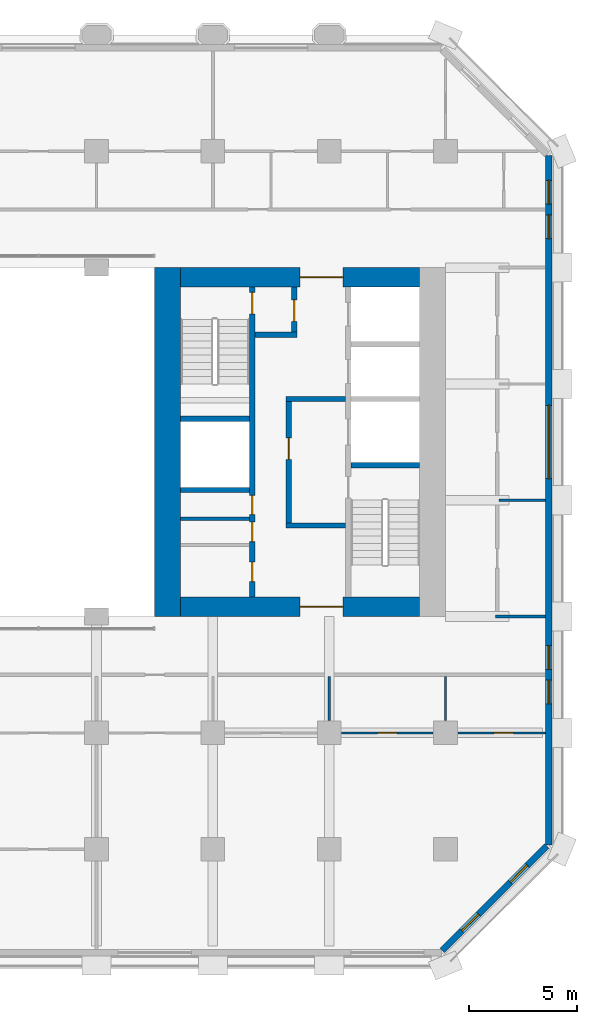
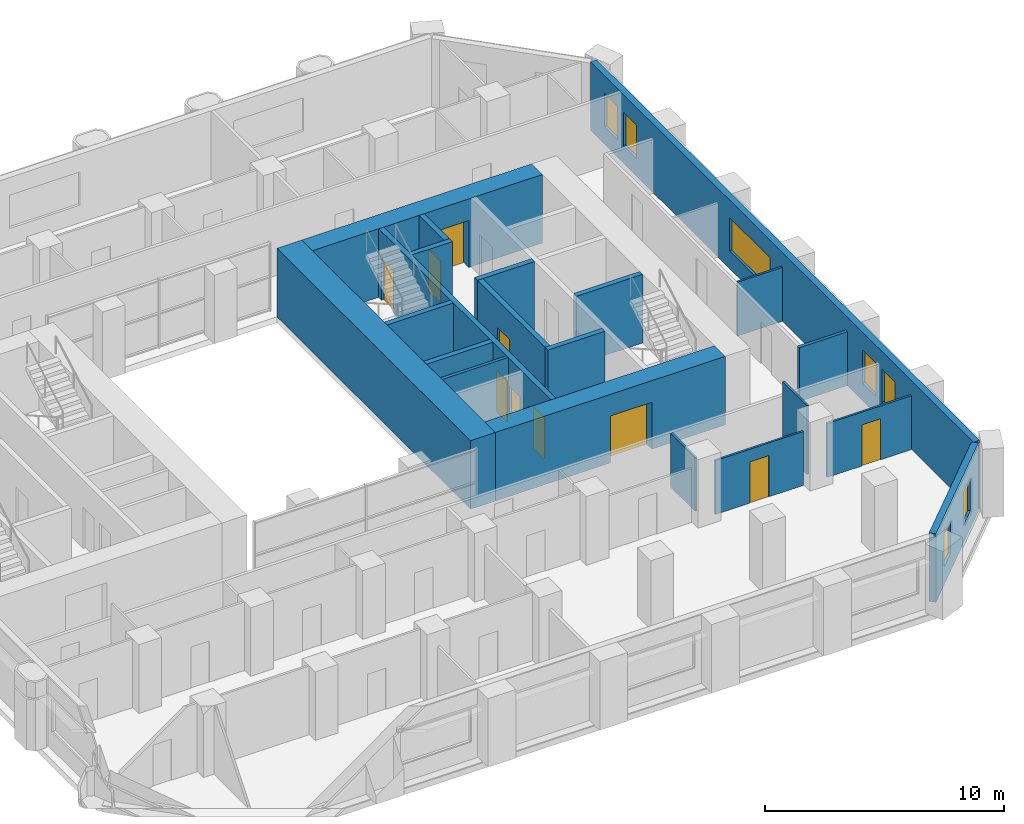
# One storey, part 9 of 13: 21 walls, 10 doors, 7 windows, 17 openings.
"""IFC4 building model written with IfcOpenShell, lengths in metres."""

import ifcopenshell
import ifcopenshell.guid

model = None  # the IFC model being written
_history = None  # IfcOwnerHistory: only IFC2X3 demands one
_inside = {}  # id of a spatial element -> (the spatial element, [elements in it])
_under = {}  # id of a project, library or spatial element -> (it, [spatial elements below it])
_declared = {}  # id of a project -> (the project, [libraries it declares])
_typed = {}  # id of a type object -> (the type object, [elements of that type])
_made_of = {}  # id of a material, layer set ... -> (it, [elements and type objects made of it])


def new_model(schema):
    """Start an empty IFC model of exactly this schema.

    Asked for "IFC4X3", IfcOpenShell would pick the latest addendum, in which some entities
    have other attributes; the version numbers below select the first issue.
    IFC2X3 requires an IfcOwnerHistory on every rooted entity: one is made here for all.
    """
    global model, _history
    if schema == "IFC4X3":
        model = ifcopenshell.file(schema_version=(4, 3, 0, 0))
    else:
        model = ifcopenshell.file(schema=schema)
    _inside.clear()
    _under.clear()
    _declared.clear()
    _typed.clear()
    _made_of.clear()
    _history = None
    if model.schema == "IFC2X3":
        org = make("IfcOrganization", Name="unknown")
        user = make(
            "IfcPersonAndOrganization",
            ThePerson=make("IfcPerson", FamilyName="unknown"),
            TheOrganization=org,
        )
        app = make(
            "IfcApplication",
            ApplicationDeveloper=org,
            Version="unknown",
            ApplicationFullName="unknown",
            ApplicationIdentifier="unknown",
        )
        _history = make(
            "IfcOwnerHistory",
            OwningUser=user,
            OwningApplication=app,
            ChangeAction="ADDED",
            CreationDate=0,
        )
    return model


def make(cls, **values):
    """One entity of the class cls with the attributes given. An attribute that is None is left unset."""
    return model.create_entity(
        cls, **{name: value for name, value in values.items() if value is not None}
    )


def rooted(cls, **values):
    """An entity with a GlobalId (a new one), such as an element, a storey or a relation."""
    return make(cls, GlobalId=ifcopenshell.guid.new(), OwnerHistory=_history, **values)


def si_unit(unit_type, name, prefix=None):
    """IfcSIUnit, for example si_unit("LENGTHUNIT", "METRE", prefix="MILLI")."""
    return make("IfcSIUnit", UnitType=unit_type, Prefix=prefix, Name=name)


def assignment(units):
    """IfcUnitAssignment: the units of a project."""
    return None if units is None else make("IfcUnitAssignment", Units=units)


def point(xyz):
    """IfcCartesianPoint."""
    return None if xyz is None else make("IfcCartesianPoint", Coordinates=xyz)


def direction(xyz):
    """IfcDirection."""
    return None if xyz is None else make("IfcDirection", DirectionRatios=xyz)


def frame(location, z_axis=None, x_axis=None):
    """IfcAxis2Placement3D, a coordinate frame: its origin and axes. An axis left out is left unset."""
    return make(
        "IfcAxis2Placement3D",
        Location=point(location),
        Axis=direction(z_axis),
        RefDirection=direction(x_axis),
    )


def frame_2d(location, x_axis=None):
    """IfcAxis2Placement2D, a coordinate frame in the plane: its origin and x axis."""
    return make(
        "IfcAxis2Placement2D", Location=point(location), RefDirection=direction(x_axis)
    )


def origin():
    """The frame at (0, 0, 0) with its axes left unset."""
    return frame((0.0, 0.0, 0.0))


def place(relative_to, where):
    """IfcLocalPlacement: puts the frame where relative to a parent placement (None: the world)."""
    return make(
        "IfcLocalPlacement", PlacementRelTo=relative_to, RelativePlacement=where
    )


def context(
    kind, dimensions, precision=None, world=None, true_north=None, identifier=None
):
    """IfcGeometricRepresentationContext, for example the 3D "Model" context."""
    return make(
        "IfcGeometricRepresentationContext",
        ContextIdentifier=identifier,
        ContextType=kind,
        CoordinateSpaceDimension=dimensions,
        Precision=precision,
        WorldCoordinateSystem=world,
        TrueNorth=true_north,
    )


def subcontext(parent, identifier, kind, view, scale=None):
    """IfcGeometricRepresentationSubContext, for example "Body" below "Model"."""
    return make(
        "IfcGeometricRepresentationSubContext",
        ContextIdentifier=identifier,
        ContextType=kind,
        ParentContext=parent,
        TargetScale=scale,
        TargetView=view,
    )


def project(units=None, contexts=None):
    """IfcProject with its units and contexts."""
    return rooted(
        "IfcProject",
        Name="project",
        RepresentationContexts=contexts,
        UnitsInContext=assignment(units),
    )


def spatial(cls, under=None, at=None, **own):
    """A site, building, storey or space (cls), placed at a placement, below another one or the project."""
    s = rooted(cls, ObjectPlacement=at, **own)
    if under is not None:
        _under.setdefault(under.id(), (under, []))[1].append(s)
    return s


def profile(cls, at=None, kind="AREA", **sizes):
    """A parametric profile (cls). Its sizes go by their IFC names, for example OverallWidth=200.0."""
    return make(cls, ProfileType=kind, Position=at, **sizes)


def rectangle(**sizes):
    """IfcRectangleProfileDef."""
    return profile("IfcRectangleProfileDef", **sizes)


def extrude(swept, where, along, depth):
    """IfcExtrudedAreaSolid: the profile swept, set in the frame where, extruded along a direction by depth."""
    return make(
        "IfcExtrudedAreaSolid",
        SweptArea=swept,
        Position=where,
        ExtrudedDirection=direction(along),
        Depth=depth,
    )


def shape(context_of_items, identifier, shape_type, items):
    """IfcShapeRepresentation: the items that make up one representation, for example the "Body"."""
    return make(
        "IfcShapeRepresentation",
        ContextOfItems=context_of_items,
        RepresentationIdentifier=identifier,
        RepresentationType=shape_type,
        Items=items,
    )


def material(Name=None, Category=None):
    """IfcMaterial."""
    return make("IfcMaterial", Name=Name, Category=Category)


def layer(
    of_material, thickness, ventilated=None, Name=None, Category=None, Priority=None
):
    """IfcMaterialLayer: one layer of a wall or slab, of a material (None: an air gap)."""
    return make(
        "IfcMaterialLayer",
        Material=of_material,
        LayerThickness=thickness,
        IsVentilated=ventilated,
        Name=Name,
        Category=Category,
        Priority=Priority,
    )


def layer_set(layers, Name=None):
    """IfcMaterialLayerSet."""
    return make("IfcMaterialLayerSet", MaterialLayers=layers, LayerSetName=Name)


def made_of(thing, what):
    """Note that an element or type object is made of a material, layer set ...; save() writes the relation."""
    if what is not None:
        _made_of.setdefault(what.id(), (what, []))[1].append(thing)
    return thing


def type_object(cls, material=None, **own):
    """A type object (cls), such as IfcWallType, which elements share."""
    return made_of(rooted(cls, **own), material)


def element(
    cls,
    number,
    at=None,
    inside=None,
    cuts=None,
    type_object=None,
    material=None,
    context=None,
    identifier="Body",
    shape_type=None,
    held_by="IfcProductDefinitionShape",
    body=None,
    shapes=None,
    **own,
):
    """One element of the class cls, such as IfcWall. Its Tag is "e" and its number.

    at: its placement. inside: the storey or other place that contains it. cuts: it is an
    opening in that element (IfcRelVoidsElement). A single representation is given by context,
    identifier, shape_type and body (its items); several are given by shapes. held_by: the class
    of the entity that holds the representations. save() writes the other relations.
    """
    e = rooted(cls, Tag="e%d" % number, ObjectPlacement=at, **own)
    if body is not None:
        shapes = [shape(context, identifier, shape_type, body)]
    if shapes is not None:
        e.Representation = make(held_by, Representations=shapes)
    if inside is not None:
        _inside.setdefault(inside.id(), (inside, []))[1].append(e)
    if cuts is not None:
        rooted(
            "IfcRelVoidsElement", RelatingBuildingElement=cuts, RelatedOpeningElement=e
        )
    if type_object is not None:
        _typed.setdefault(type_object.id(), (type_object, []))[1].append(e)
    return made_of(e, material)


def fill(opening, filler):
    """IfcRelFillsElement: the door or window that sits in an opening."""
    return rooted(
        "IfcRelFillsElement",
        RelatingOpeningElement=opening,
        RelatedBuildingElement=filler,
    )


def aggregate(whole, parts):
    """IfcRelAggregates: a whole, such as a stair, and the parts it consists of."""
    return rooted("IfcRelAggregates", RelatingObject=whole, RelatedObjects=parts)


def save(model, path):
    """Write the relations noted so far, then the file.

    IfcRelAggregates (storeys below a building ...), IfcRelContainedInSpatialStructure (elements
    in a storey), IfcRelDefinesByType, IfcRelAssociatesMaterial and IfcRelDeclares: one each for
    every whole, place, type object, material and project.
    """
    for whole, parts in _under.values():
        aggregate(whole, parts)
    for where, things in _inside.values():
        rooted(
            "IfcRelContainedInSpatialStructure",
            RelatedElements=things,
            RelatingStructure=where,
        )
    for kind, things in _typed.values():
        rooted("IfcRelDefinesByType", RelatedObjects=things, RelatingType=kind)
    for what, things in _made_of.values():
        rooted("IfcRelAssociatesMaterial", RelatedObjects=things, RelatingMaterial=what)
    for by, libraries in _declared.values():
        rooted("IfcRelDeclares", RelatingContext=by, RelatedDefinitions=libraries)
    model.write(path)


model = new_model("IFC4")

# Units and contexts
model_context = context("Model", 3, precision=1e-05, world=origin(), true_north=direction((0.0, 1.0)))
body_context = subcontext(model_context, "Body", "Model", "MODEL_VIEW")
ifc_project = project(units=[si_unit("LENGTHUNIT", "METRE"), si_unit("AREAUNIT", "SQUARE_METRE"), si_unit("VOLUMEUNIT", "CUBIC_METRE"), si_unit("PLANEANGLEUNIT", "RADIAN"), si_unit("MASSUNIT", "GRAM", prefix="KILO")], contexts=[model_context])

# Site, building, storey
site_placement = place(None, origin())
site = spatial("IfcSite", under=ifc_project, at=site_placement, CompositionType="ELEMENT")
building_placement = place(site_placement, origin())
building = spatial("IfcBuilding", under=site, at=building_placement, Name="Tabaq Tower and Sports Hall", CompositionType="ELEMENT")
storey_placement = place(building_placement, frame((0.0, 0.0, 45.0)))
storey = spatial("IfcBuildingStorey", under=building, at=storey_placement, Name="L09", CompositionType="ELEMENT", Elevation=45.0)

# Walls
ifc_material_1 = material(Name="Blockwork", Category="masonry")
ifc_layer_1 = layer(ifc_material_1, 0.14990234375)
ifc_layer_set_1 = layer_set([ifc_layer_1], Name="Core room partition 150 Blockwork")
wall_type_1 = type_object("IfcWallType", Name="Core room partition 150 Blockwork", PredefinedType="PARTITIONING", material=ifc_layer_set_1)
wall_1_placement = place(storey_placement, frame((30.89990234375, 20.737060546875, 0.0), z_axis=(0.0, 0.0, 1.0), x_axis=(1.0, 0.0, 0.0)))
element("IfcWall", 1, at=wall_1_placement, inside=storey, type_object=wall_type_1, Name="Core room partition E L09", PredefinedType="PARTITIONING", context=body_context, shape_type="SweptSolid", body=[
    extrude(rectangle(XDim=3.2001953125, YDim=0.14990234375, at=frame_2d((1.60009765625, 0.0))), origin(), (0.0, 0.0, 1.0), 3.5),
])
ifc_material_2 = material(Name="Concrete C60/75", Category="concrete")
ifc_layer_2 = layer(ifc_material_2, 1.199951171875)
ifc_layer_set_2 = layer_set([ifc_layer_2], Name="Core wall 1200 Concrete C60/75")
wall_type_2 = type_object("IfcWallType", Name="Core wall 1200 Concrete C60/75", PredefinedType="SOLIDWALL", material=ifc_layer_set_2)
wall_2_placement = place(storey_placement, frame((30.300048828125, 16.199951171875, 0.0), z_axis=(0.0, 0.0, 1.0), x_axis=(0.0, 1.0, 0.0)))
element("IfcWall", 2, at=wall_2_placement, inside=storey, type_object=wall_type_2, Name="Core wall E L09", PredefinedType="SOLIDWALL", context=body_context, shape_type="SweptSolid", body=[
    extrude(rectangle(XDim=16.199951171875, YDim=1.199951171875, at=frame_2d((8.10009765625, 0.0))), origin(), (0.0, 0.0, 1.0), 3.5),
])

# Wall, opening, door
ifc_material_3 = material(Name="Concrete C60/75", Category="concrete")
ifc_layer_3 = layer(ifc_material_3, 0.89990234375)
ifc_layer_set_3 = layer_set([ifc_layer_3], Name="Core wall 900 Concrete C60/75")
wall_type_3 = type_object("IfcWallType", Name="Core wall 900 Concrete C60/75", PredefinedType="SOLIDWALL", material=ifc_layer_set_3)
wall_3_placement = place(storey_placement, frame((42.0, 16.64990234375, 0.0), z_axis=(0.0, 0.0, 1.0), x_axis=(-1.0, 0.0, 0.0)))
wall_3 = element("IfcWall", 3, at=wall_3_placement, inside=storey, type_object=wall_type_3, Name="Core wall E L09", PredefinedType="SOLIDWALL", context=body_context, shape_type="SweptSolid", body=[
    extrude(rectangle(XDim=11.10009765625, YDim=0.89990234375, at=frame_2d((5.550048828125, 0.0))), origin(), (0.0, 0.0, 1.0), 3.5),
])
opening_1_placement = place(wall_3_placement, frame((3.550048828125, 0.0, 0.0)))
opening_1 = element("IfcOpeningElement", 4, at=opening_1_placement, cuts=wall_3, Name="Opening PD-EL09-01", PredefinedType="OPENING", context=body_context, shape_type="SweptSolid", body=[
    extrude(rectangle(XDim=2.0, YDim=2.39990234375, at=frame_2d((1.0, 1.199951171875))), frame((0.0, 0.449951171875, 0.0), z_axis=(0.0, -1.0, 0.0), x_axis=(1.0, 0.0, 0.0)), (0.0, 0.0, 1.0), 0.89990234375),
])
ifc_material_4 = material(Name="Steel fire door", Category="steel")
door_type_1 = type_object("IfcDoorType", Name="Core entrance door 2000", OperationType="DOUBLE_DOOR_SINGLE_SWING", PredefinedType="DOOR", material=ifc_material_4)
door_1_placement = place(opening_1_placement, origin())
door_1 = element("IfcDoor", 5, at=door_1_placement, inside=storey, type_object=door_type_1, Name="Core entrance south E L09", OperationType="DOUBLE_DOOR_SINGLE_SWING", OverallHeight=2.39990234375, OverallWidth=2.0, PredefinedType="DOOR", context=body_context, shape_type="SweptSolid", body=[
    extrude(rectangle(XDim=2.0, YDim=2.39990234375, at=frame_2d((1.0, 1.199951171875))), frame((0.0, 0.02490234375, 0.0), z_axis=(0.0, -1.0, 0.0), x_axis=(1.0, 0.0, 0.0)), (0.0, 0.0, 1.0), 0.050048828125),
])
fill(opening_1, door_1)

wall_4_placement = place(storey_placement, frame((30.89990234375, 31.949951171875, 0.0), z_axis=(0.0, 0.0, 1.0), x_axis=(1.0, 0.0, 0.0)))
wall_4 = element("IfcWall", 6, at=wall_4_placement, inside=storey, type_object=wall_type_3, Name="Core wall E L09", PredefinedType="SOLIDWALL", context=body_context, shape_type="SweptSolid", body=[
    extrude(rectangle(XDim=11.10009765625, YDim=0.89990234375, at=frame_2d((5.550048828125, 0.0))), origin(), (0.0, 0.0, 1.0), 3.5),
])
opening_2_placement = place(wall_4_placement, frame((5.550048828125, 0.0, 0.0)))
opening_2 = element("IfcOpeningElement", 7, at=opening_2_placement, cuts=wall_4, Name="Opening PD-EL09-02", PredefinedType="OPENING", context=body_context, shape_type="SweptSolid", body=[
    extrude(rectangle(XDim=2.0, YDim=2.39990234375, at=frame_2d((1.0, 1.199951171875))), frame((0.0, 0.449951171875, 0.0), z_axis=(0.0, -1.0, 0.0), x_axis=(1.0, 0.0, 0.0)), (0.0, 0.0, 1.0), 0.89990234375),
])
door_2_placement = place(opening_2_placement, origin())
door_2 = element("IfcDoor", 8, at=door_2_placement, inside=storey, type_object=door_type_1, Name="Core entrance north E L09", OperationType="DOUBLE_DOOR_SINGLE_SWING", OverallHeight=2.39990234375, OverallWidth=2.0, PredefinedType="DOOR", context=body_context, shape_type="SweptSolid", body=[
    extrude(rectangle(XDim=2.0, YDim=2.39990234375, at=frame_2d((1.0, 1.199951171875))), frame((0.0, 0.02490234375, 0.0), z_axis=(0.0, -1.0, 0.0), x_axis=(1.0, 0.0, 0.0)), (0.0, 0.0, 1.0), 0.050048828125),
])
fill(opening_2, door_2)

# Wall
ifc_material_5 = material(Name="Gypsum board on steel studs", Category="steel")
ifc_layer_4 = layer(ifc_material_5, 0.10009765625)
ifc_layer_set_4 = layer_set([ifc_layer_4], Name="Partition 100 Gypsum board")
wall_type_4 = type_object("IfcWallType", Name="Partition 100 Gypsum board", PredefinedType="PARTITIONING", material=ifc_layer_set_4)
wall_5_placement = place(storey_placement, frame((37.800048828125, 11.3701171875, 0.0), z_axis=(0.0, 0.0, 1.0), x_axis=(0.0, 1.0, 0.0)))
element("IfcWall", 9, at=wall_5_placement, inside=storey, type_object=wall_type_4, Name="Partition wall L09", PredefinedType="PARTITIONING", context=body_context, shape_type="SweptSolid", body=[
    extrude(rectangle(XDim=2.054931640625, YDim=0.10009765625, at=frame_2d((1.02734375, 0.0))), origin(), (0.0, 0.0, 1.0), 2.75),
])

# Wall, opening, door
wall_6_placement = place(storey_placement, frame((38.3701171875, 10.800048828125, 0.0), z_axis=(0.0, 0.0, 1.0), x_axis=(1.0, 0.0, 0.0)))
wall_6 = element("IfcWall", 10, at=wall_6_placement, inside=storey, type_object=wall_type_4, Name="Partition wall L09", PredefinedType="PARTITIONING", context=body_context, shape_type="SweptSolid", body=[
    extrude(rectangle(XDim=4.259765625, YDim=0.10009765625, at=frame_2d((2.1298828125, 0.0))), origin(), (0.0, 0.0, 1.0), 2.75),
])
opening_3_placement = place(wall_6_placement, frame((1.679931640625, 0.0, 0.0)))
opening_3 = element("IfcOpeningElement", 11, at=opening_3_placement, cuts=wall_6, Name="Opening L09-020", PredefinedType="OPENING", context=body_context, shape_type="SweptSolid", body=[
    extrude(rectangle(XDim=0.89990234375, YDim=2.10009765625, at=frame_2d((0.449951171875, 1.050048828125))), frame((0.0, 0.050048828125, 0.0), z_axis=(0.0, -1.0, 0.0), x_axis=(1.0, 0.0, 0.0)), (0.0, 0.0, 1.0), 0.10009765625),
])
ifc_material_6 = material(Name="Timber leaf in steel frame", Category="steel")
door_type_2 = type_object("IfcDoorType", Name="Internal door 900 left hand", OperationType="SINGLE_SWING_LEFT", PredefinedType="DOOR", material=ifc_material_6)
door_3_placement = place(opening_3_placement, origin())
door_3 = element("IfcDoor", 12, at=door_3_placement, inside=storey, type_object=door_type_2, Name="Internal door L09-020", OperationType="SINGLE_SWING_LEFT", OverallHeight=2.10009765625, OverallWidth=0.89990234375, PredefinedType="DOOR", context=body_context, shape_type="SweptSolid", body=[
    extrude(rectangle(XDim=0.89990234375, YDim=2.10009765625, at=frame_2d((0.449951171875, 1.050048828125))), frame((0.0, 0.02490234375, 0.0), z_axis=(0.0, -1.0, 0.0), x_axis=(1.0, 0.0, 0.0)), (0.0, 0.0, 1.0), 0.050048828125),
])
fill(opening_3, door_3)

# Wall
wall_7_placement = place(storey_placement, frame((43.199951171875, 11.3701171875, 0.0), z_axis=(0.0, 0.0, 1.0), x_axis=(0.0, 1.0, 0.0)))
element("IfcWall", 13, at=wall_7_placement, inside=storey, type_object=wall_type_4, Name="Partition wall L09", PredefinedType="PARTITIONING", context=body_context, shape_type="SweptSolid", body=[
    extrude(rectangle(XDim=2.054931640625, YDim=0.10009765625, at=frame_2d((1.02734375, 0.0))), origin(), (0.0, 0.0, 1.0), 3.5),
])

# Wall, opening, door
wall_8_placement = place(storey_placement, frame((43.77001953125, 10.800048828125, 0.0), z_axis=(0.0, 0.0, 1.0), x_axis=(1.0, 0.0, 0.0)))
wall_8 = element("IfcWall", 14, at=wall_8_placement, inside=storey, type_object=wall_type_4, Name="Partition wall L09", PredefinedType="PARTITIONING", context=body_context, shape_type="SweptSolid", body=[
    extrude(rectangle(XDim=4.0791015625, YDim=0.10009765625, at=frame_2d((2.03955078125, 0.0))), origin(), (0.0, 0.0, 1.0), 2.75),
])
opening_4_placement = place(wall_8_placement, frame((1.679931640625, 0.0, 0.0)))
opening_4 = element("IfcOpeningElement", 15, at=opening_4_placement, cuts=wall_8, Name="Opening L09-021", PredefinedType="OPENING", context=body_context, shape_type="SweptSolid", body=[
    extrude(rectangle(XDim=0.89990234375, YDim=2.10009765625, at=frame_2d((0.449951171875, 1.050048828125))), frame((0.0, 0.050048828125, 0.0), z_axis=(0.0, -1.0, 0.0), x_axis=(1.0, 0.0, 0.0)), (0.0, 0.0, 1.0), 0.10009765625),
])
ifc_material_7 = material(Name="Timber leaf in steel frame", Category="steel")
door_type_3 = type_object("IfcDoorType", Name="Internal door 900 right hand", OperationType="SINGLE_SWING_RIGHT", PredefinedType="DOOR", material=ifc_material_7)
door_4_placement = place(opening_4_placement, origin())
door_4 = element("IfcDoor", 16, at=door_4_placement, inside=storey, type_object=door_type_3, Name="Internal door L09-021", OperationType="SINGLE_SWING_RIGHT", OverallHeight=2.10009765625, OverallWidth=0.89990234375, PredefinedType="DOOR", context=body_context, shape_type="SweptSolid", body=[
    extrude(rectangle(XDim=0.89990234375, YDim=2.10009765625, at=frame_2d((0.449951171875, 1.050048828125))), frame((0.0, 0.02490234375, 0.0), z_axis=(0.0, -1.0, 0.0), x_axis=(1.0, 0.0, 0.0)), (0.0, 0.0, 1.0), 0.050048828125),
])
fill(opening_4, door_4)

# Walls
wall_9_placement = place(storey_placement, frame((47.84912109375, 21.60009765625, 0.0), z_axis=(0.0, 0.0, 1.0), x_axis=(-1.0, 0.0, 0.0)))
element("IfcWall", 17, at=wall_9_placement, inside=storey, type_object=wall_type_4, Name="Partition wall L09", PredefinedType="PARTITIONING", context=body_context, shape_type="SweptSolid", body=[
    extrude(rectangle(XDim=2.174072265625, YDim=0.10009765625, at=frame_2d((1.0869140625, 0.0))), origin(), (0.0, 0.0, 1.0), 2.75),
])
ifc_material_8 = material(Name="Blockwork", Category="masonry")
ifc_layer_5 = layer(ifc_material_8, 0.14990234375)
ifc_layer_set_5 = layer_set([ifc_layer_5], Name="Separating wall 150 Blockwork")
wall_type_5 = type_object("IfcWallType", Name="Separating wall 150 Blockwork", PredefinedType="PARTITIONING", material=ifc_layer_set_5)
wall_10_placement = place(storey_placement, frame((47.84912109375, 16.199951171875, 0.0), z_axis=(0.0, 0.0, 1.0), x_axis=(-1.0, 0.0, 0.0)))
element("IfcWall", 18, at=wall_10_placement, inside=storey, type_object=wall_type_5, Name="Separating wall L09", PredefinedType="PARTITIONING", context=body_context, shape_type="SweptSolid", body=[
    extrude(rectangle(XDim=2.32421875, YDim=0.14990234375, at=frame_2d((1.162109375, 0.0))), origin(), (0.0, 0.0, 1.0), 2.75),
])

# Wall, openings, doors
ifc_material_9 = material(Name="Concrete C40/50", Category="concrete")
ifc_layer_6 = layer(ifc_material_9, 0.25)
ifc_layer_set_6 = layer_set([ifc_layer_6], Name="Shaft and stair wall 250 Concrete C40/50")
wall_type_6 = type_object("IfcWallType", Name="Shaft and stair wall 250 Concrete C40/50", PredefinedType="SOLIDWALL", material=ifc_layer_set_6)
wall_11_placement = place(storey_placement, frame((34.22509765625, 17.10009765625, 0.0), z_axis=(0.0, 0.0, 1.0), x_axis=(0.0, 1.0, 0.0)))
wall_11 = element("IfcWall", 19, at=wall_11_placement, inside=storey, type_object=wall_type_6, Name="Shaft wall E L09", PredefinedType="SOLIDWALL", context=body_context, shape_type="SweptSolid", body=[
    extrude(rectangle(XDim=14.39990234375, YDim=0.25, at=frame_2d((7.199951171875, 0.0))), origin(), (0.0, 0.0, 1.0), 3.5),
])
opening_5_placement = place(wall_11_placement, frame((13.14990234375, 0.0, 0.0)))
opening_5 = element("IfcOpeningElement", 20, at=opening_5_placement, cuts=wall_11, Name="Opening SD-EL09-05", PredefinedType="OPENING", context=body_context, shape_type="SweptSolid", body=[
    extrude(rectangle(XDim=1.0, YDim=2.10009765625, at=frame_2d((0.5, 1.050048828125))), frame((0.0, 0.125, 0.0), z_axis=(0.0, -1.0, 0.0), x_axis=(1.0, 0.0, 0.0)), (0.0, 0.0, 1.0), 0.25),
])
opening_6_placement = place(wall_11_placement, frame((0.72509765625, 0.0, 0.0)))
opening_6 = element("IfcOpeningElement", 21, at=opening_6_placement, cuts=wall_11, Name="Opening RD-EL09-10", PredefinedType="OPENING", context=body_context, shape_type="SweptSolid", body=[
    extrude(rectangle(XDim=0.89990234375, YDim=2.10009765625, at=frame_2d((0.449951171875, 1.050048828125))), frame((0.0, 0.125, 0.0), z_axis=(0.0, -1.0, 0.0), x_axis=(1.0, 0.0, 0.0)), (0.0, 0.0, 1.0), 0.25),
])
opening_7_placement = place(wall_11_placement, frame((2.5810546875, 0.0, 0.0)))
opening_7 = element("IfcOpeningElement", 22, at=opening_7_placement, cuts=wall_11, Name="Opening RD-EL09-11", PredefinedType="OPENING", context=body_context, shape_type="SweptSolid", body=[
    extrude(rectangle(XDim=0.89990234375, YDim=2.10009765625, at=frame_2d((0.449951171875, 1.050048828125))), frame((0.0, 0.125, 0.0), z_axis=(0.0, -1.0, 0.0), x_axis=(1.0, 0.0, 0.0)), (0.0, 0.0, 1.0), 0.25),
])
opening_8_placement = place(wall_11_placement, frame((3.8310546875, 0.0, 0.0)))
opening_8 = element("IfcOpeningElement", 23, at=opening_8_placement, cuts=wall_11, Name="Opening RD-EL09-12", PredefinedType="OPENING", context=body_context, shape_type="SweptSolid", body=[
    extrude(rectangle(XDim=0.89990234375, YDim=2.10009765625, at=frame_2d((0.449951171875, 1.050048828125))), frame((0.0, 0.125, 0.0), z_axis=(0.0, -1.0, 0.0), x_axis=(1.0, 0.0, 0.0)), (0.0, 0.0, 1.0), 0.25),
])
ifc_material_10 = material(Name="Steel fire door", Category="steel")
door_type_4 = type_object("IfcDoorType", Name="Core room door 900", OperationType="SINGLE_SWING_LEFT", PredefinedType="DOOR", material=ifc_material_10)
door_5_placement = place(opening_6_placement, origin())
door_5 = element("IfcDoor", 24, at=door_5_placement, inside=storey, type_object=door_type_4, Name="Door Unisex WC E L09", OperationType="SINGLE_SWING_LEFT", OverallHeight=2.10009765625, OverallWidth=0.89990234375, PredefinedType="DOOR", context=body_context, shape_type="SweptSolid", body=[
    extrude(rectangle(XDim=0.89990234375, YDim=2.10009765625, at=frame_2d((0.449951171875, 1.050048828125))), frame((0.0, 0.02490234375, 0.0), z_axis=(0.0, -1.0, 0.0), x_axis=(1.0, 0.0, 0.0)), (0.0, 0.0, 1.0), 0.050048828125),
])
fill(opening_6, door_5)
door_6_placement = place(opening_7_placement, origin())
door_6 = element("IfcDoor", 25, at=door_6_placement, inside=storey, type_object=door_type_4, Name="Door Cleaner's Store E L09", OperationType="SINGLE_SWING_LEFT", OverallHeight=2.10009765625, OverallWidth=0.89990234375, PredefinedType="DOOR", context=body_context, shape_type="SweptSolid", body=[
    extrude(rectangle(XDim=0.89990234375, YDim=2.10009765625, at=frame_2d((0.449951171875, 1.050048828125))), frame((0.0, 0.02490234375, 0.0), z_axis=(0.0, -1.0, 0.0), x_axis=(1.0, 0.0, 0.0)), (0.0, 0.0, 1.0), 0.050048828125),
])
fill(opening_7, door_6)
door_7_placement = place(opening_8_placement, origin())
door_7 = element("IfcDoor", 26, at=door_7_placement, inside=storey, type_object=door_type_4, Name="Door Accessible WC E L09", OperationType="SINGLE_SWING_LEFT", OverallHeight=2.10009765625, OverallWidth=0.89990234375, PredefinedType="DOOR", context=body_context, shape_type="SweptSolid", body=[
    extrude(rectangle(XDim=0.89990234375, YDim=2.10009765625, at=frame_2d((0.449951171875, 1.050048828125))), frame((0.0, 0.02490234375, 0.0), z_axis=(0.0, -1.0, 0.0), x_axis=(1.0, 0.0, 0.0)), (0.0, 0.0, 1.0), 0.050048828125),
])
fill(opening_8, door_7)
ifc_material_11 = material(Name="Steel fire door", Category="steel")
door_type_5 = type_object("IfcDoorType", Name="Stair door 1000", OperationType="SINGLE_SWING_LEFT", PredefinedType="DOOR", material=ifc_material_11)
door_8_placement = place(opening_5_placement, origin())
door_8 = element("IfcDoor", 27, at=door_8_placement, inside=storey, type_object=door_type_5, Name="Stair door ST4 E L09", OperationType="SINGLE_SWING_LEFT", OverallHeight=2.10009765625, OverallWidth=1.0, PredefinedType="DOOR", context=body_context, shape_type="SweptSolid", body=[
    extrude(rectangle(XDim=1.0, YDim=2.10009765625, at=frame_2d((0.5, 1.050048828125))), frame((0.0, 0.02490234375, 0.0), z_axis=(0.0, -1.0, 0.0), x_axis=(1.0, 0.0, 0.0)), (0.0, 0.0, 1.0), 0.050048828125),
])
fill(opening_5, door_8)

# Walls
wall_12_placement = place(storey_placement, frame((38.800048828125, 23.22509765625, 0.0), z_axis=(0.0, 0.0, 1.0), x_axis=(1.0, 0.0, 0.0)))
element("IfcWall", 28, at=wall_12_placement, inside=storey, type_object=wall_type_6, Name="Stair enclosure wall E L09", PredefinedType="SOLIDWALL", context=body_context, shape_type="SweptSolid", body=[
    extrude(rectangle(XDim=3.199951171875, YDim=0.25, at=frame_2d((1.60009765625, 0.0))), origin(), (0.0, 0.0, 1.0), 3.5),
])
for number, where, z_axis, x_axis, name in (
    (29, (30.89990234375, 25.375, 0.0), (0.0, 0.0, 1.0), (1.0, 0.0, 0.0), "Stair enclosure wall E L09"),
    (30, (30.89990234375, 22.074951171875, 0.0), (0.0, 0.0, 1.0), (1.0, 0.0, 0.0), "Shaft wall E L09"),
):
    element("IfcWall", number, at=place(storey_placement, frame(where, z_axis=z_axis, x_axis=x_axis)), inside=storey, type_object=wall_type_6, Name=name, PredefinedType="SOLIDWALL", context=body_context, shape_type="SweptSolid", body=[
        extrude(rectangle(XDim=3.2001953125, YDim=0.25, at=frame_2d((1.60009765625, 0.0))), origin(), (0.0, 0.0, 1.0), 3.5),
    ])
for number, where, z_axis, x_axis, name in (
    (31, (35.800048828125, 26.300048828125, 0.0), (0.0, 0.0, 1.0), (1.0, 0.0, 0.0), "Fire-fighting lobby wall E L09"),
    (32, (35.800048828125, 20.425048828125, 0.0), (0.0, 0.0, 1.0), (1.0, 0.0, 0.0), "Fire-fighting lobby wall E L09"),
):
    element("IfcWall", number, at=place(storey_placement, frame(where, z_axis=z_axis, x_axis=x_axis)), inside=storey, type_object=wall_type_6, Name=name, PredefinedType="SOLIDWALL", context=body_context, shape_type="SweptSolid", body=[
        extrude(rectangle(XDim=2.75, YDim=0.25, at=frame_2d((1.375, 0.0))), origin(), (0.0, 0.0, 1.0), 3.5),
    ])

# Wall, opening, door
wall_13_placement = place(storey_placement, frame((36.175048828125, 29.39990234375, 0.0), z_axis=(0.0, 0.0, 1.0), x_axis=(0.0, 1.0, 0.0)))
wall_13 = element("IfcWall", 33, at=wall_13_placement, inside=storey, type_object=wall_type_6, Name="Fire-fighting lobby wall E L09", PredefinedType="SOLIDWALL", context=body_context, shape_type="SweptSolid", body=[
    extrude(rectangle(XDim=2.10009765625, YDim=0.25, at=frame_2d((1.050048828125, 0.0))), origin(), (0.0, 0.0, 1.0), 3.5),
])
opening_9_placement = place(wall_13_placement, frame((0.5, 0.0, 0.0)))
opening_9 = element("IfcOpeningElement", 34, at=opening_9_placement, cuts=wall_13, Name="Opening FD-EL09-06", PredefinedType="OPENING", context=body_context, shape_type="SweptSolid", body=[
    extrude(rectangle(XDim=1.0, YDim=2.10009765625, at=frame_2d((0.5, 1.050048828125))), frame((0.0, 0.125, 0.0), z_axis=(0.0, -1.0, 0.0), x_axis=(1.0, 0.0, 0.0)), (0.0, 0.0, 1.0), 0.25),
])
ifc_material_12 = material(Name="Steel fire door", Category="steel")
door_type_6 = type_object("IfcDoorType", Name="Fire-fighting lobby door 1000", OperationType="SINGLE_SWING_LEFT", PredefinedType="DOOR", material=ifc_material_12)
door_9_placement = place(opening_9_placement, origin())
door_9 = element("IfcDoor", 35, at=door_9_placement, inside=storey, type_object=door_type_6, Name="Stair lobby door E L09", OperationType="SINGLE_SWING_LEFT", OverallHeight=2.10009765625, OverallWidth=1.0, PredefinedType="DOOR", context=body_context, shape_type="SweptSolid", body=[
    extrude(rectangle(XDim=1.0, YDim=2.10009765625, at=frame_2d((0.5, 1.050048828125))), frame((0.0, 0.02490234375, 0.0), z_axis=(0.0, -1.0, 0.0), x_axis=(1.0, 0.0, 0.0)), (0.0, 0.0, 1.0), 0.050048828125),
])
fill(opening_9, door_9)

# Wall
wall_14_placement = place(storey_placement, frame((34.35009765625, 29.27490234375, 0.0), z_axis=(0.0, 0.0, 1.0), x_axis=(1.0, 0.0, 0.0)))
element("IfcWall", 36, at=wall_14_placement, inside=storey, type_object=wall_type_6, Name="Fire-fighting lobby wall E L09", PredefinedType="SOLIDWALL", context=body_context, shape_type="SweptSolid", body=[
    extrude(rectangle(XDim=1.949951171875, YDim=0.25, at=frame_2d((0.97509765625, 0.0))), origin(), (0.0, 0.0, 1.0), 3.5),
])

# Wall, opening, door
wall_15_placement = place(storey_placement, frame((35.925048828125, 20.550048828125, 0.0), z_axis=(0.0, 0.0, 1.0), x_axis=(0.0, 1.0, 0.0)))
wall_15 = element("IfcWall", 37, at=wall_15_placement, inside=storey, type_object=wall_type_6, Name="Fire-fighting lobby wall E L09", PredefinedType="SOLIDWALL", context=body_context, shape_type="SweptSolid", body=[
    extrude(rectangle(XDim=5.625, YDim=0.25, at=frame_2d((2.8125, 0.0))), origin(), (0.0, 0.0, 1.0), 3.5),
])
opening_10_placement = place(wall_15_placement, frame((2.949951171875, 0.0, 0.0)))
opening_10 = element("IfcOpeningElement", 38, at=opening_10_placement, cuts=wall_15, Name="Opening FD-EL09-04", PredefinedType="OPENING", context=body_context, shape_type="SweptSolid", body=[
    extrude(rectangle(XDim=1.0, YDim=2.10009765625, at=frame_2d((0.5, 1.050048828125))), frame((0.0, 0.125, 0.0), z_axis=(0.0, -1.0, 0.0), x_axis=(1.0, 0.0, 0.0)), (0.0, 0.0, 1.0), 0.25),
])
door_10_placement = place(opening_10_placement, origin())
door_10 = element("IfcDoor", 39, at=door_10_placement, inside=storey, type_object=door_type_6, Name="Fire-fighting lobby door E L09", OperationType="SINGLE_SWING_LEFT", OverallHeight=2.10009765625, OverallWidth=1.0, PredefinedType="DOOR", context=body_context, shape_type="SweptSolid", body=[
    extrude(rectangle(XDim=1.0, YDim=2.10009765625, at=frame_2d((0.5, 1.050048828125))), frame((0.0, 0.02490234375, 0.0), z_axis=(0.0, -1.0, 0.0), x_axis=(1.0, 0.0, 0.0)), (0.0, 0.0, 1.0), 0.050048828125),
])
fill(opening_10, door_10)

# Wall, openings, windows
ifc_material_13 = material(Name="White precast concrete C60/75", Category="concrete")
ifc_layer_7 = layer(ifc_material_13, 0.300048828125)
ifc_layer_set_7 = layer_set([ifc_layer_7], Name="White precast concrete C60/75 external wall 300")
wall_type_7 = type_object("IfcWallType", Name="White precast concrete C60/75 external wall 300", PredefinedType="SOLIDWALL", material=ifc_layer_set_7)
wall_16_placement = place(storey_placement, frame((43.050537109375, 0.698974609375, 0.0), z_axis=(0.0, 0.0, 1.0), x_axis=(0.707106781187, 0.707106781187, 0.0)))
wall_16 = element("IfcWall", 40, at=wall_16_placement, inside=storey, type_object=wall_type_7, Name="External Wall L09 SE", PredefinedType="SOLIDWALL", context=body_context, shape_type="SweptSolid", body=[
    extrude(rectangle(XDim=6.85986328125, YDim=0.300048828125, at=frame_2d((3.429931640625, 0.0))), origin(), (0.0, 0.0, 1.0), 3.5),
])
opening_11_placement = place(wall_16_placement, frame((1.27978515625, 0.0, 0.89990234375)))
opening_11 = element("IfcOpeningElement", 41, at=opening_11_placement, cuts=wall_16, Name="Opening W1B", PredefinedType="OPENING", context=body_context, shape_type="SweptSolid", body=[
    extrude(rectangle(XDim=1.10009765625, YDim=1.699951171875, at=frame_2d((0.550048828125, 0.85009765625))), frame((0.0, 0.16015625, 0.0), z_axis=(0.0, -1.0, 0.0), x_axis=(1.0, 0.0, 0.0)), (0.0, 0.0, 1.0), 0.320068359375),
])
opening_12_placement = place(wall_16_placement, frame((4.479736328125, 0.0, 0.89990234375)))
opening_12 = element("IfcOpeningElement", 42, at=opening_12_placement, cuts=wall_16, Name="Opening W1B", PredefinedType="OPENING", context=body_context, shape_type="SweptSolid", body=[
    extrude(rectangle(XDim=1.10009765625, YDim=1.699951171875, at=frame_2d((0.550048828125, 0.85009765625))), frame((0.0, 0.16015625, 0.0), z_axis=(0.0, -1.0, 0.0), x_axis=(1.0, 0.0, 0.0)), (0.0, 0.0, 1.0), 0.320068359375),
])
ifc_material_14 = material(Name="Aluminium framed clear glazing", Category="aluminium")
window_type_1 = type_object("IfcWindowType", Name="Window W1B", PartitioningType="SINGLE_PANEL", PredefinedType="WINDOW", material=ifc_material_14)
window_1_placement = place(opening_11_placement, origin())
window_1 = element("IfcWindow", 43, at=window_1_placement, inside=storey, type_object=window_type_1, Name="Window W1B L09", OverallHeight=1.699951171875, OverallWidth=1.10009765625, PartitioningType="SINGLE_PANEL", PredefinedType="WINDOW", context=body_context, shape_type="SweptSolid", body=[
    extrude(rectangle(XDim=1.10009765625, YDim=1.699951171875, at=frame_2d((0.550048828125, 0.85009765625))), frame((0.0, 0.030029296875, 0.0), z_axis=(0.0, -1.0, 0.0), x_axis=(1.0, 0.0, 0.0)), (0.0, 0.0, 1.0), 0.06005859375),
])
fill(opening_11, window_1)
window_2_placement = place(opening_12_placement, origin())
window_2 = element("IfcWindow", 44, at=window_2_placement, inside=storey, type_object=window_type_1, Name="Window W1B L09", OverallHeight=1.699951171875, OverallWidth=1.10009765625, PartitioningType="SINGLE_PANEL", PredefinedType="WINDOW", context=body_context, shape_type="SweptSolid", body=[
    extrude(rectangle(XDim=1.10009765625, YDim=1.699951171875, at=frame_2d((0.550048828125, 0.85009765625))), frame((0.0, 0.030029296875, 0.0), z_axis=(0.0, -1.0, 0.0), x_axis=(1.0, 0.0, 0.0)), (0.0, 0.0, 1.0), 0.06005859375),
])
fill(opening_12, window_2)

wall_17_placement = place(storey_placement, frame((48.0, 5.58642578125, 0.0), z_axis=(0.0, 0.0, 1.0), x_axis=(0.0, 1.0, 0.0)))
wall_17 = element("IfcWall", 45, at=wall_17_placement, inside=storey, type_object=wall_type_7, Name="External Wall L09 E", PredefinedType="SOLIDWALL", context=body_context, shape_type="SweptSolid", body=[
    extrude(rectangle(XDim=32.027099609375, YDim=0.300048828125, at=frame_2d((16.013671875, 0.0))), origin(), (0.0, 0.0, 1.0), 3.5),
])
opening_13_placement = place(wall_17_placement, frame((6.563720703125, 0.0, 0.89990234375)))
opening_13 = element("IfcOpeningElement", 46, at=opening_13_placement, cuts=wall_17, Name="Opening W1B", PredefinedType="OPENING", context=body_context, shape_type="SweptSolid", body=[
    extrude(rectangle(XDim=1.10009765625, YDim=1.699951171875, at=frame_2d((0.550048828125, 0.85009765625))), frame((0.0, 0.16015625, 0.0), z_axis=(0.0, -1.0, 0.0), x_axis=(1.0, 0.0, 0.0)), (0.0, 0.0, 1.0), 0.320068359375),
])
opening_14_placement = place(wall_17_placement, frame((8.16357421875, 0.0, 0.89990234375)))
opening_14 = element("IfcOpeningElement", 47, at=opening_14_placement, cuts=wall_17, Name="Opening W1B", PredefinedType="OPENING", context=body_context, shape_type="SweptSolid", body=[
    extrude(rectangle(XDim=1.10009765625, YDim=1.699951171875, at=frame_2d((0.550048828125, 0.85009765625))), frame((0.0, 0.16015625, 0.0), z_axis=(0.0, -1.0, 0.0), x_axis=(1.0, 0.0, 0.0)), (0.0, 0.0, 1.0), 0.320068359375),
])
opening_15_placement = place(wall_17_placement, frame((17.013671875, 0.0, 0.89990234375)))
opening_15 = element("IfcOpeningElement", 48, at=opening_15_placement, cuts=wall_17, Name="Opening W1A", PredefinedType="OPENING", context=body_context, shape_type="SweptSolid", body=[
    extrude(rectangle(XDim=3.39990234375, YDim=1.699951171875, at=frame_2d((1.699951171875, 0.85009765625))), frame((0.0, 0.16015625, 0.0), z_axis=(0.0, -1.0, 0.0), x_axis=(1.0, 0.0, 0.0)), (0.0, 0.0, 1.0), 0.320068359375),
])
opening_16_placement = place(wall_17_placement, frame((28.16357421875, 0.0, 0.89990234375)))
opening_16 = element("IfcOpeningElement", 49, at=opening_16_placement, cuts=wall_17, Name="Opening W1B", PredefinedType="OPENING", context=body_context, shape_type="SweptSolid", body=[
    extrude(rectangle(XDim=1.10009765625, YDim=1.699951171875, at=frame_2d((0.550048828125, 0.85009765625))), frame((0.0, 0.16015625, 0.0), z_axis=(0.0, -1.0, 0.0), x_axis=(1.0, 0.0, 0.0)), (0.0, 0.0, 1.0), 0.320068359375),
])
opening_17_placement = place(wall_17_placement, frame((29.763671875, 0.0, 0.89990234375)))
opening_17 = element("IfcOpeningElement", 50, at=opening_17_placement, cuts=wall_17, Name="Opening W1B", PredefinedType="OPENING", context=body_context, shape_type="SweptSolid", body=[
    extrude(rectangle(XDim=1.10009765625, YDim=1.699951171875, at=frame_2d((0.550048828125, 0.85009765625))), frame((0.0, 0.16015625, 0.0), z_axis=(0.0, -1.0, 0.0), x_axis=(1.0, 0.0, 0.0)), (0.0, 0.0, 1.0), 0.320068359375),
])
ifc_material_15 = material(Name="Aluminium framed clear glazing", Category="aluminium")
window_type_2 = type_object("IfcWindowType", Name="Window W1A", PartitioningType="SINGLE_PANEL", PredefinedType="WINDOW", material=ifc_material_15)
window_3_placement = place(opening_15_placement, origin())
window_3 = element("IfcWindow", 51, at=window_3_placement, inside=storey, type_object=window_type_2, Name="Window W1A L09", OverallHeight=1.699951171875, OverallWidth=3.39990234375, PartitioningType="SINGLE_PANEL", PredefinedType="WINDOW", context=body_context, shape_type="SweptSolid", body=[
    extrude(rectangle(XDim=3.39990234375, YDim=1.699951171875, at=frame_2d((1.699951171875, 0.85009765625))), frame((0.0, 0.030029296875, 0.0), z_axis=(0.0, -1.0, 0.0), x_axis=(1.0, 0.0, 0.0)), (0.0, 0.0, 1.0), 0.06005859375),
])
fill(opening_15, window_3)
window_4_placement = place(opening_13_placement, origin())
window_4 = element("IfcWindow", 52, at=window_4_placement, inside=storey, type_object=window_type_1, Name="Window W1B L09", OverallHeight=1.699951171875, OverallWidth=1.10009765625, PartitioningType="SINGLE_PANEL", PredefinedType="WINDOW", context=body_context, shape_type="SweptSolid", body=[
    extrude(rectangle(XDim=1.10009765625, YDim=1.699951171875, at=frame_2d((0.550048828125, 0.85009765625))), frame((0.0, 0.030029296875, 0.0), z_axis=(0.0, -1.0, 0.0), x_axis=(1.0, 0.0, 0.0)), (0.0, 0.0, 1.0), 0.06005859375),
])
fill(opening_13, window_4)
window_5_placement = place(opening_14_placement, origin())
window_5 = element("IfcWindow", 53, at=window_5_placement, inside=storey, type_object=window_type_1, Name="Window W1B L09", OverallHeight=1.699951171875, OverallWidth=1.10009765625, PartitioningType="SINGLE_PANEL", PredefinedType="WINDOW", context=body_context, shape_type="SweptSolid", body=[
    extrude(rectangle(XDim=1.10009765625, YDim=1.699951171875, at=frame_2d((0.550048828125, 0.85009765625))), frame((0.0, 0.030029296875, 0.0), z_axis=(0.0, -1.0, 0.0), x_axis=(1.0, 0.0, 0.0)), (0.0, 0.0, 1.0), 0.06005859375),
])
fill(opening_14, window_5)
window_6_placement = place(opening_16_placement, origin())
window_6 = element("IfcWindow", 54, at=window_6_placement, inside=storey, type_object=window_type_1, Name="Window W1B L09", OverallHeight=1.699951171875, OverallWidth=1.10009765625, PartitioningType="SINGLE_PANEL", PredefinedType="WINDOW", context=body_context, shape_type="SweptSolid", body=[
    extrude(rectangle(XDim=1.10009765625, YDim=1.699951171875, at=frame_2d((0.550048828125, 0.85009765625))), frame((0.0, 0.030029296875, 0.0), z_axis=(0.0, -1.0, 0.0), x_axis=(1.0, 0.0, 0.0)), (0.0, 0.0, 1.0), 0.06005859375),
])
fill(opening_16, window_6)
window_7_placement = place(opening_17_placement, origin())
window_7 = element("IfcWindow", 55, at=window_7_placement, inside=storey, type_object=window_type_1, Name="Window W1B L09", OverallHeight=1.699951171875, OverallWidth=1.10009765625, PartitioningType="SINGLE_PANEL", PredefinedType="WINDOW", context=body_context, shape_type="SweptSolid", body=[
    extrude(rectangle(XDim=1.10009765625, YDim=1.699951171875, at=frame_2d((0.550048828125, 0.85009765625))), frame((0.0, 0.030029296875, 0.0), z_axis=(0.0, -1.0, 0.0), x_axis=(1.0, 0.0, 0.0)), (0.0, 0.0, 1.0), 0.06005859375),
])
fill(opening_17, window_7)

save(model, "model.ifc")
